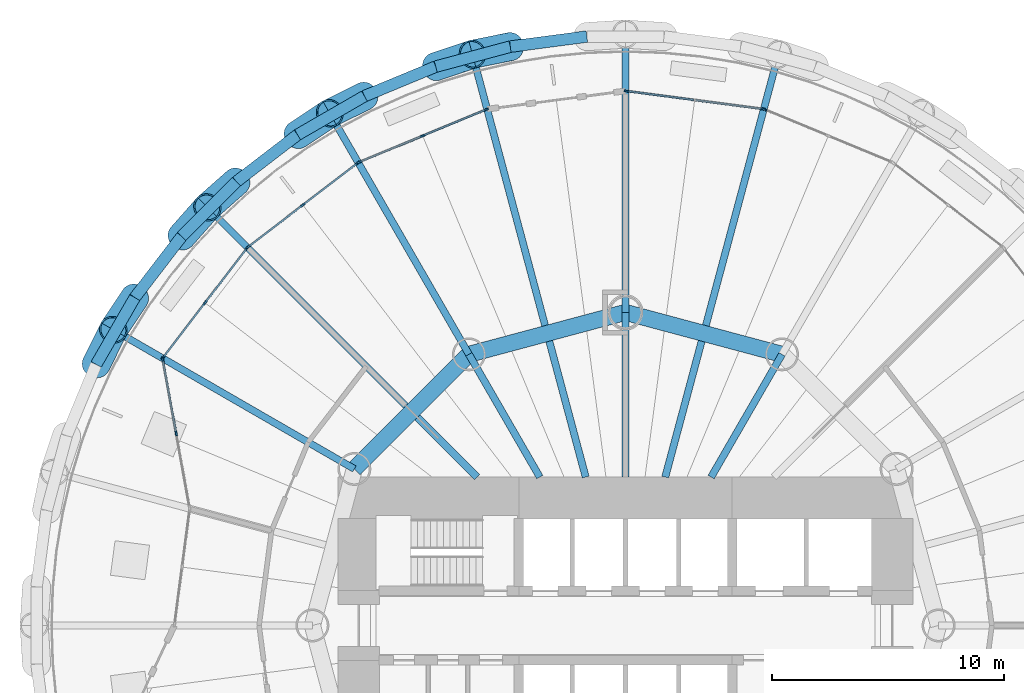
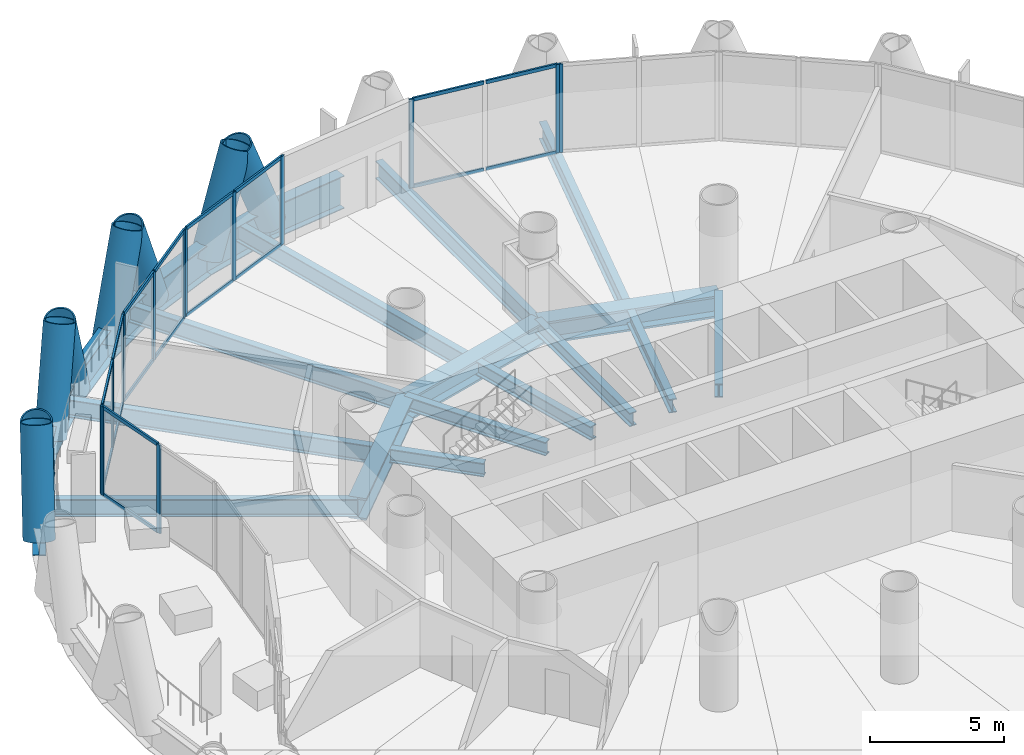
# One storey, part 6 of 15: 40 members, 23 beams, 6 elements without a shape of their own.
"""IFC4 building model written with IfcOpenShell, lengths in metres."""

from ifc_helpers import new_model, si_unit, direction, frame, origin, origin_2d, place, context, subcontext, project, spatial, rectangle, hollow_circle, i_section, extrude, material, material_profile, profile_set, type_object, element, aggregate, save


model = new_model("IFC4")

# Units and contexts
model_context = context("Model", 3, precision=1e-05, world=origin(), true_north=direction((0.0, 1.0)))
body_context = subcontext(model_context, "Body", "Model", "MODEL_VIEW")
ifc_project = project(units=[si_unit("LENGTHUNIT", "METRE"), si_unit("AREAUNIT", "SQUARE_METRE"), si_unit("VOLUMEUNIT", "CUBIC_METRE"), si_unit("PLANEANGLEUNIT", "RADIAN"), si_unit("MASSUNIT", "GRAM", prefix="KILO")], contexts=[model_context])

# Site, building, storey
site_placement = place(None, origin())
site = spatial("IfcSite", under=ifc_project, at=site_placement, CompositionType="ELEMENT")
building_placement = place(site_placement, origin())
building = spatial("IfcBuilding", under=site, at=building_placement, Name="Qaws Media Tower", CompositionType="ELEMENT")
storey_placement = place(building_placement, frame((0.0, 0.0, 72.199951171875)))
storey = spatial("IfcBuildingStorey", under=building, at=storey_placement, Name="L15", CompositionType="ELEMENT", Elevation=72.199951171875)

# Curtain wall, member
ifc_material_1 = material(Name="Aluminium and clear glass", Category="aluminium")
curtain_wall_type_1 = type_object("IfcCurtainWallType", Name="Unitised curtain wall CW-A", PredefinedType="NOTDEFINED", material=ifc_material_1)
curtain_wall_1_placement = place(storey_placement, origin())
curtain_wall_1 = element("IfcCurtainWall", 1, at=curtain_wall_1_placement, inside=storey, type_object=curtain_wall_type_1, Name="CWA curtain wall L15-05", PredefinedType="NOTDEFINED")
ifc_material_2 = material(Name="Aluminium mullion", Category="aluminium")
ifc_material_profile_1 = material_profile(ifc_material_2, rectangle(XDim=0.080078125, YDim=0.199951171875, at=origin_2d()), Name="80x200")
ifc_profile_set_1 = profile_set([ifc_material_profile_1], Name="Aluminium mullion")
member_type_1 = type_object("IfcMemberType", Name="Curtain wall mullion 80x200", PredefinedType="MULLION", material=ifc_profile_set_1)
member_1_placement = place(storey_placement, frame((66.002685546875, 72.249267578125, 0.0), z_axis=(0.0, 0.0, 1.0), x_axis=(-0.382683328183, -0.923879575665, 0.0)))
member_1 = element("IfcMember", 2, at=member_1_placement, type_object=member_type_1, Name="CWA mullion 3", PredefinedType="MULLION", context=body_context, shape_type="SweptSolid", body=[
    extrude(rectangle(XDim=0.080078125, YDim=0.199951171875, at=origin_2d()), origin(), (0.0, 0.0, 1.0), 4.0400390625),
])
aggregate(curtain_wall_1, [member_1])

# Curtain wall, members
curtain_wall_2_placement = place(storey_placement, origin())
curtain_wall_2 = element("IfcCurtainWall", 3, at=curtain_wall_2_placement, inside=storey, type_object=curtain_wall_type_1, Name="CWA curtain wall L15-06", PredefinedType="NOTDEFINED")
member_2_placement = place(storey_placement, frame((65.926025390625, 72.269775390625, 0.0), z_axis=(0.0, 0.0, 1.0), x_axis=(-0.130526240342, -0.991444855038, 0.0)))
member_2 = element("IfcMember", 4, at=member_2_placement, type_object=member_type_1, Name="CWA mullion 1", PredefinedType="MULLION", context=body_context, shape_type="SweptSolid", body=[
    extrude(rectangle(XDim=0.080078125, YDim=0.199951171875, at=origin_2d()), origin(), (0.0, 0.0, 1.0), 4.0400390625),
])
member_3_placement = place(storey_placement, frame((60.03955078125, 73.044677734375, 0.0), z_axis=(0.0, 0.0, 1.0), x_axis=(-0.130526240342, -0.991444855038, 0.0)))
member_3 = element("IfcMember", 5, at=member_3_placement, type_object=member_type_1, Name="CWA mullion 3", PredefinedType="MULLION", context=body_context, shape_type="SweptSolid", body=[
    extrude(rectangle(XDim=0.080078125, YDim=0.199951171875, at=origin_2d()), origin(), (0.0, 0.0, 1.0), 4.0400390625),
])

curtain_wall_3_placement = place(storey_placement, origin())
curtain_wall_3 = element("IfcCurtainWall", 6, at=curtain_wall_3_placement, inside=storey, type_object=curtain_wall_type_1, Name="CWA curtain wall L15-08", PredefinedType="NOTDEFINED")
member_4_placement = place(storey_placement, frame((53.997314453125, 72.249267578125, 0.0), z_axis=(0.0, 0.0, 1.0), x_axis=(0.382683328183, -0.923879575665, 0.0)))
member_4 = element("IfcMember", 7, at=member_4_placement, type_object=member_type_1, Name="CWA mullion 1", PredefinedType="MULLION", context=body_context, shape_type="SweptSolid", body=[
    extrude(rectangle(XDim=0.080078125, YDim=0.199951171875, at=origin_2d()), origin(), (0.0, 0.0, 1.0), 4.0400390625),
])
member_5_placement = place(storey_placement, frame((51.254638671875, 71.11328125, 0.0), z_axis=(0.0, 0.0, 1.0), x_axis=(0.382683328183, -0.923879575665, 0.0)))
member_5 = element("IfcMember", 8, at=member_5_placement, type_object=member_type_1, Name="CWA mullion 2", PredefinedType="MULLION", context=body_context, shape_type="SweptSolid", body=[
    extrude(rectangle(XDim=0.080078125, YDim=0.199951171875, at=origin_2d()), origin(), (0.0, 0.0, 1.0), 4.0400390625),
])
member_6_placement = place(storey_placement, frame((48.511962890625, 69.977294921875, 0.0), z_axis=(0.0, 0.0, 1.0), x_axis=(0.382683328183, -0.923879575665, 0.0)))
member_6 = element("IfcMember", 9, at=member_6_placement, type_object=member_type_1, Name="CWA mullion 3", PredefinedType="MULLION", context=body_context, shape_type="SweptSolid", body=[
    extrude(rectangle(XDim=0.080078125, YDim=0.199951171875, at=origin_2d()), origin(), (0.0, 0.0, 1.0), 4.0400390625),
])

curtain_wall_4_placement = place(storey_placement, origin())
curtain_wall_4 = element("IfcCurtainWall", 10, at=curtain_wall_4_placement, inside=storey, type_object=curtain_wall_type_1, Name="CWA curtain wall L15-09", PredefinedType="NOTDEFINED")
member_7_placement = place(storey_placement, frame((48.443359375, 69.9375, 0.0), z_axis=(0.0, 0.0, 1.0), x_axis=(0.608761531958, -0.793353261295, 0.0)))
member_7 = element("IfcMember", 11, at=member_7_placement, type_object=member_type_1, Name="CWA mullion 1", PredefinedType="MULLION", context=body_context, shape_type="SweptSolid", body=[
    extrude(rectangle(XDim=0.080078125, YDim=0.199951171875, at=origin_2d()), origin(), (0.0, 0.0, 1.0), 4.0400390625),
])
member_8_placement = place(storey_placement, frame((46.088134765625, 68.13037109375, 0.0), z_axis=(0.0, 0.0, 1.0), x_axis=(0.608761531958, -0.793353261295, 0.0)))
member_8 = element("IfcMember", 12, at=member_8_placement, type_object=member_type_1, Name="CWA mullion 2", PredefinedType="MULLION", context=body_context, shape_type="SweptSolid", body=[
    extrude(rectangle(XDim=0.080078125, YDim=0.199951171875, at=origin_2d()), origin(), (0.0, 0.0, 1.0), 4.0400390625),
])
member_9_placement = place(storey_placement, frame((43.73291015625, 66.3232421875, 0.0), z_axis=(0.0, 0.0, 1.0), x_axis=(0.608761531958, -0.793353261295, 0.0)))
member_9 = element("IfcMember", 13, at=member_9_placement, type_object=member_type_1, Name="CWA mullion 3", PredefinedType="MULLION", context=body_context, shape_type="SweptSolid", body=[
    extrude(rectangle(XDim=0.080078125, YDim=0.199951171875, at=origin_2d()), origin(), (0.0, 0.0, 1.0), 4.0400390625),
])

curtain_wall_5_placement = place(storey_placement, origin())
curtain_wall_5 = element("IfcCurtainWall", 14, at=curtain_wall_5_placement, inside=storey, type_object=curtain_wall_type_1, Name="CWA curtain wall L15-10", PredefinedType="NOTDEFINED")
member_10_placement = place(storey_placement, frame((43.6767578125, 66.26708984375, 0.0), z_axis=(0.0, 0.0, 1.0), x_axis=(0.793353261295, -0.608761531958, 0.0)))
member_10 = element("IfcMember", 15, at=member_10_placement, type_object=member_type_1, Name="CWA mullion 1", PredefinedType="MULLION", context=body_context, shape_type="SweptSolid", body=[
    extrude(rectangle(XDim=0.080078125, YDim=0.199951171875, at=origin_2d()), origin(), (0.0, 0.0, 1.0), 4.0400390625),
])
member_11_placement = place(storey_placement, frame((41.86962890625, 63.911865234375, 0.0), z_axis=(0.0, 0.0, 1.0), x_axis=(0.793353261295, -0.608761531958, 0.0)))
member_11 = element("IfcMember", 16, at=member_11_placement, type_object=member_type_1, Name="CWA mullion 2", PredefinedType="MULLION", context=body_context, shape_type="SweptSolid", body=[
    extrude(rectangle(XDim=0.080078125, YDim=0.199951171875, at=origin_2d()), origin(), (0.0, 0.0, 1.0), 4.0400390625),
])
member_12_placement = place(storey_placement, frame((40.0625, 61.556640625, 0.0), z_axis=(0.0, 0.0, 1.0), x_axis=(0.793353261295, -0.608761531958, 0.0)))
member_12 = element("IfcMember", 17, at=member_12_placement, type_object=member_type_1, Name="CWA mullion 3", PredefinedType="MULLION", context=body_context, shape_type="SweptSolid", body=[
    extrude(rectangle(XDim=0.080078125, YDim=0.199951171875, at=origin_2d()), origin(), (0.0, 0.0, 1.0), 4.0400390625),
])

ifc_material_3 = material(Name="Aluminium and clear glass", Category="aluminium")
curtain_wall_type_2 = type_object("IfcCurtainWallType", Name="Loggia curtain wall CW-G", PredefinedType="NOTDEFINED", material=ifc_material_3)
curtain_wall_6_placement = place(storey_placement, origin())
curtain_wall_6 = element("IfcCurtainWall", 18, at=curtain_wall_6_placement, inside=storey, type_object=curtain_wall_type_2, Name="CWG curtain wall L15-11", PredefinedType="NOTDEFINED")
member_13_placement = place(storey_placement, frame((40.045166015625, 61.485595703125, 0.0), z_axis=(0.0, 0.0, 1.0), x_axis=(0.984017583835, 0.178071319151, 0.0)))
member_13 = element("IfcMember", 19, at=member_13_placement, type_object=member_type_1, Name="CWG mullion 1", PredefinedType="MULLION", context=body_context, shape_type="SweptSolid", body=[
    extrude(rectangle(XDim=0.080078125, YDim=0.199951171875, at=origin_2d()), origin(), (0.0, 0.0, 1.0), 4.0400390625),
])
member_14_placement = place(storey_placement, frame((40.62548828125, 58.279541015625, 0.0), z_axis=(0.0, 0.0, 1.0), x_axis=(0.984017583835, 0.178071319151, 0.0)))
member_14 = element("IfcMember", 20, at=member_14_placement, type_object=member_type_1, Name="CWG mullion 2", PredefinedType="MULLION", context=body_context, shape_type="SweptSolid", body=[
    extrude(rectangle(XDim=0.080078125, YDim=0.199951171875, at=origin_2d()), origin(), (0.0, 0.0, 1.0), 4.0400390625),
])

# Member
ifc_material_4 = material(Name="Aluminium transom", Category="aluminium")
ifc_material_profile_2 = material_profile(ifc_material_4, rectangle(XDim=0.080078125, YDim=0.159912109375, at=origin_2d()), Name="80x160")
ifc_profile_set_2 = profile_set([ifc_material_profile_2], Name="Aluminium transom")
member_type_2 = type_object("IfcMemberType", Name="Curtain wall transom 80x160", PredefinedType="USERDEFINED", material=ifc_profile_set_2)
member_15_placement = place(storey_placement, frame((65.886474609375, 72.275146484375, 0.0400390625), z_axis=(-0.991449404578, 0.130491678516, 0.0), x_axis=(-0.130491678516, -0.991449404578, 0.0)))
member_15 = element("IfcMember", 21, at=member_15_placement, type_object=member_type_2, Name="CWA transom 1.1", ObjectType="TRANSOM", PredefinedType="USERDEFINED", context=body_context, shape_type="SweptSolid", body=[
    extrude(rectangle(XDim=0.080078125, YDim=0.159912109375, at=origin_2d()), origin(), (0.0, 0.0, 1.0), 2.888671875),
])

member_16_placement = place(storey_placement, frame((65.886474609375, 72.275146484375, 4.0), z_axis=(-0.991449404578, 0.130491678516, 0.0), x_axis=(-0.130491678516, -0.991449404578, 0.0)))
member_16 = element("IfcMember", 22, at=member_16_placement, type_object=member_type_2, Name="CWA transom 1.2", ObjectType="TRANSOM", PredefinedType="USERDEFINED", context=body_context, shape_type="SweptSolid", body=[
    extrude(rectangle(XDim=0.080078125, YDim=0.159912109375, at=origin_2d()), origin(), (0.0, 0.0, 1.0), 2.888671875),
])

member_17_placement = place(storey_placement, frame((62.943115234375, 72.66259765625, 0.0400390625), z_axis=(-0.991447965263, 0.130502613671, 0.0), x_axis=(-0.130502613671, -0.991447965263, 0.0)))
member_17 = element("IfcMember", 23, at=member_17_placement, type_object=member_type_2, Name="CWA transom 2.1", ObjectType="TRANSOM", PredefinedType="USERDEFINED", context=body_context, shape_type="SweptSolid", body=[
    extrude(rectangle(XDim=0.080078125, YDim=0.159912109375, at=origin_2d()), origin(), (0.0, 0.0, 1.0), 2.888427734375),
])

member_18_placement = place(storey_placement, frame((62.943115234375, 72.66259765625, 4.0), z_axis=(-0.991447965263, 0.130502613671, 0.0), x_axis=(-0.130502613671, -0.991447965263, 0.0)))
member_18 = element("IfcMember", 24, at=member_18_placement, type_object=member_type_2, Name="CWA transom 2.2", ObjectType="TRANSOM", PredefinedType="USERDEFINED", context=body_context, shape_type="SweptSolid", body=[
    extrude(rectangle(XDim=0.080078125, YDim=0.159912109375, at=origin_2d()), origin(), (0.0, 0.0, 1.0), 2.888427734375),
])

aggregate(curtain_wall_2, [member_2, member_3, member_15, member_16, member_17, member_18])

member_19_placement = place(storey_placement, frame((53.960205078125, 72.23388671875, 0.0400390625), z_axis=(-0.923902494293, -0.382627993016, 0.0), x_axis=(0.382627993016, -0.923902494293, 0.0)))
member_19 = element("IfcMember", 25, at=member_19_placement, type_object=member_type_2, Name="CWA transom 1.1", ObjectType="TRANSOM", PredefinedType="USERDEFINED", context=body_context, shape_type="SweptSolid", body=[
    extrude(rectangle(XDim=0.080078125, YDim=0.159912109375, at=origin_2d()), origin(), (0.0, 0.0, 1.0), 2.888427734375),
])

member_20_placement = place(storey_placement, frame((53.960205078125, 72.23388671875, 4.0), z_axis=(-0.923902494293, -0.382627993016, 0.0), x_axis=(0.382627993016, -0.923902494293, 0.0)))
member_20 = element("IfcMember", 26, at=member_20_placement, type_object=member_type_2, Name="CWA transom 1.2", ObjectType="TRANSOM", PredefinedType="USERDEFINED", context=body_context, shape_type="SweptSolid", body=[
    extrude(rectangle(XDim=0.080078125, YDim=0.159912109375, at=origin_2d()), origin(), (0.0, 0.0, 1.0), 2.888427734375),
])

member_21_placement = place(storey_placement, frame((51.2177734375, 71.097900390625, 0.0400390625), z_axis=(-0.923884990322, -0.382670255779, 0.0), x_axis=(0.382670255779, -0.923884990322, 0.0)))
member_21 = element("IfcMember", 27, at=member_21_placement, type_object=member_type_2, Name="CWA transom 2.1", ObjectType="TRANSOM", PredefinedType="USERDEFINED", context=body_context, shape_type="SweptSolid", body=[
    extrude(rectangle(XDim=0.080078125, YDim=0.159912109375, at=origin_2d()), origin(), (0.0, 0.0, 1.0), 2.888916015625),
])

member_22_placement = place(storey_placement, frame((51.2177734375, 71.097900390625, 4.0), z_axis=(-0.923884990322, -0.382670255779, 0.0), x_axis=(0.382670255779, -0.923884990322, 0.0)))
member_22 = element("IfcMember", 28, at=member_22_placement, type_object=member_type_2, Name="CWA transom 2.2", ObjectType="TRANSOM", PredefinedType="USERDEFINED", context=body_context, shape_type="SweptSolid", body=[
    extrude(rectangle(XDim=0.080078125, YDim=0.159912109375, at=origin_2d()), origin(), (0.0, 0.0, 1.0), 2.888916015625),
])

aggregate(curtain_wall_3, [member_4, member_5, member_6, member_19, member_20, member_21, member_22])

member_23_placement = place(storey_placement, frame((48.41162109375, 69.9130859375, 0.0400390625), z_axis=(-0.793390013074, -0.608713633127, 0.0), x_axis=(0.608713633127, -0.793390013074, 0.0)))
member_23 = element("IfcMember", 29, at=member_23_placement, type_object=member_type_2, Name="CWA transom 1.1", ObjectType="TRANSOM", PredefinedType="USERDEFINED", context=body_context, shape_type="SweptSolid", body=[
    extrude(rectangle(XDim=0.080078125, YDim=0.159912109375, at=origin_2d()), origin(), (0.0, 0.0, 1.0), 2.888671875),
])

member_24_placement = place(storey_placement, frame((48.41162109375, 69.9130859375, 4.0), z_axis=(-0.793390013074, -0.608713633127, 0.0), x_axis=(0.608713633127, -0.793390013074, 0.0)))
member_24 = element("IfcMember", 30, at=member_24_placement, type_object=member_type_2, Name="CWA transom 1.2", ObjectType="TRANSOM", PredefinedType="USERDEFINED", context=body_context, shape_type="SweptSolid", body=[
    extrude(rectangle(XDim=0.080078125, YDim=0.159912109375, at=origin_2d()), origin(), (0.0, 0.0, 1.0), 2.888671875),
])

member_25_placement = place(storey_placement, frame((46.056396484375, 68.10595703125, 0.0400390625), z_axis=(-0.793349194644, -0.608766831684, 0.0), x_axis=(0.608766831684, -0.793349194644, 0.0)))
member_25 = element("IfcMember", 31, at=member_25_placement, type_object=member_type_2, Name="CWA transom 2.1", ObjectType="TRANSOM", PredefinedType="USERDEFINED", context=body_context, shape_type="SweptSolid", body=[
    extrude(rectangle(XDim=0.080078125, YDim=0.159912109375, at=origin_2d()), origin(), (0.0, 0.0, 1.0), 2.888671875),
])

member_26_placement = place(storey_placement, frame((46.056396484375, 68.10595703125, 4.0), z_axis=(-0.793349194644, -0.608766831684, 0.0), x_axis=(0.608766831684, -0.793349194644, 0.0)))
member_26 = element("IfcMember", 32, at=member_26_placement, type_object=member_type_2, Name="CWA transom 2.2", ObjectType="TRANSOM", PredefinedType="USERDEFINED", context=body_context, shape_type="SweptSolid", body=[
    extrude(rectangle(XDim=0.080078125, YDim=0.159912109375, at=origin_2d()), origin(), (0.0, 0.0, 1.0), 2.888671875),
])

aggregate(curtain_wall_4, [member_7, member_8, member_9, member_23, member_24, member_25, member_26])

member_27_placement = place(storey_placement, frame((43.652587890625, 66.2353515625, 0.0400390625), z_axis=(-0.608766831684, -0.793349194644, 0.0), x_axis=(0.793349194644, -0.608766831684, 0.0)))
member_27 = element("IfcMember", 33, at=member_27_placement, type_object=member_type_2, Name="CWA transom 1.1", ObjectType="TRANSOM", PredefinedType="USERDEFINED", context=body_context, shape_type="SweptSolid", body=[
    extrude(rectangle(XDim=0.080078125, YDim=0.159912109375, at=origin_2d()), origin(), (0.0, 0.0, 1.0), 2.888671875),
])

member_28_placement = place(storey_placement, frame((43.652587890625, 66.2353515625, 4.0), z_axis=(-0.608766831684, -0.793349194644, 0.0), x_axis=(0.793349194644, -0.608766831684, 0.0)))
member_28 = element("IfcMember", 34, at=member_28_placement, type_object=member_type_2, Name="CWA transom 1.2", ObjectType="TRANSOM", PredefinedType="USERDEFINED", context=body_context, shape_type="SweptSolid", body=[
    extrude(rectangle(XDim=0.080078125, YDim=0.159912109375, at=origin_2d()), origin(), (0.0, 0.0, 1.0), 2.888671875),
])

member_29_placement = place(storey_placement, frame((41.84521484375, 63.880126953125, 0.0400390625), z_axis=(-0.608713633127, -0.793390013074, 0.0), x_axis=(0.793390013074, -0.608713633127, 0.0)))
member_29 = element("IfcMember", 35, at=member_29_placement, type_object=member_type_2, Name="CWA transom 2.1", ObjectType="TRANSOM", PredefinedType="USERDEFINED", context=body_context, shape_type="SweptSolid", body=[
    extrude(rectangle(XDim=0.080078125, YDim=0.159912109375, at=origin_2d()), origin(), (0.0, 0.0, 1.0), 2.888671875),
])

member_30_placement = place(storey_placement, frame((41.84521484375, 63.880126953125, 4.0), z_axis=(-0.608713633127, -0.793390013074, 0.0), x_axis=(0.793390013074, -0.608713633127, 0.0)))
member_30 = element("IfcMember", 36, at=member_30_placement, type_object=member_type_2, Name="CWA transom 2.2", ObjectType="TRANSOM", PredefinedType="USERDEFINED", context=body_context, shape_type="SweptSolid", body=[
    extrude(rectangle(XDim=0.080078125, YDim=0.159912109375, at=origin_2d()), origin(), (0.0, 0.0, 1.0), 2.888671875),
])

aggregate(curtain_wall_5, [member_10, member_11, member_12, member_27, member_28, member_29, member_30])

member_31_placement = place(storey_placement, frame((40.05224609375, 61.4462890625, 0.0400390625), z_axis=(0.178135052761, -0.984006048242, 0.0), x_axis=(0.984006048242, 0.178135052761, 0.0)))
member_31 = element("IfcMember", 37, at=member_31_placement, type_object=member_type_2, Name="CWG transom 1.1", ObjectType="TRANSOM", PredefinedType="USERDEFINED", context=body_context, shape_type="SweptSolid", body=[
    extrude(rectangle(XDim=0.080078125, YDim=0.159912109375, at=origin_2d()), origin(), (0.0, 0.0, 1.0), 3.17822265625),
])

member_32_placement = place(storey_placement, frame((40.05224609375, 61.4462890625, 4.0), z_axis=(0.178135052761, -0.984006048242, 0.0), x_axis=(0.984006048242, 0.178135052761, 0.0)))
member_32 = element("IfcMember", 38, at=member_32_placement, type_object=member_type_2, Name="CWG transom 1.2", ObjectType="TRANSOM", PredefinedType="USERDEFINED", context=body_context, shape_type="SweptSolid", body=[
    extrude(rectangle(XDim=0.080078125, YDim=0.159912109375, at=origin_2d()), origin(), (0.0, 0.0, 1.0), 3.17822265625),
])

aggregate(curtain_wall_6, [member_13, member_14, member_31, member_32])

# Members
ifc_material_5 = material(Name="Steel S460", Category="steel")
ifc_material_profile_3 = material_profile(ifc_material_5, hollow_circle(Radius=0.609619140625, WallThickness=0.06005859375, at=origin_2d()), Name="CHS 1219x60")
ifc_profile_set_3 = profile_set([ifc_material_profile_3], Name="Steel S460")
member_type_3 = type_object("IfcMemberType", Name="Diagrid member CHS 1219x60", PredefinedType="USERDEFINED", material=ifc_profile_set_3)
for number, where, z_axis, x_axis, name in (
    (39, (55.034912109375, 74.9609375, -0.909912109375), (-0.36175846887, -0.072989201231, 0.929410235958), (0.197776850506, -0.980247069572, 0.0), "DG1 diagrid L15 A07"),
    (40, (48.74365234375, 72.825439453125, -0.909912109375), (-0.330532493562, -0.164131695888, 0.92941328649), (0.444752444244, -0.89565353979, 0.0), "DG1 diagrid L15 A08"),
    (41, (51.8193359375, 74.099365234375, -0.909912109375), (0.349814783649, 0.117667428384, 0.929399802797), (-0.318817528008, 0.94781611288, 0.0), "DG1 diagrid L15 B08"),
    (42, (43.2197265625, 69.13427734375, -0.909912109375), (-0.276827051791, -0.244087552691, 0.929401985159), (0.661360157276, -0.750068491784, 0.0), "DG1 diagrid L15 A09"),
    (43, (45.86083984375, 71.160888671875, -0.909912109375), (0.307406963447, 0.204217631253, 0.929406325516), (-0.553348187094, 0.832950048826, 0.0), "DG1 diagrid L15 B09"),
    (44, (38.839111328125, 64.13916015625, -0.909912109375), (-0.204217631253, -0.307406963447, 0.929406325516), (0.832950048826, -0.553348187094, 0.0), "DG1 diagrid L15 A10"),
    (45, (40.86572265625, 66.7802734375, -0.909912109375), (0.244087552691, 0.276827051791, 0.929401985159), (-0.750068491784, 0.661360157276, 0.0), "DG1 diagrid L15 B10"),
    (46, (37.174560546875, 61.25634765625, -0.909912109375), (0.164131695888, 0.330532493562, 0.92941328649), (-0.89565353979, 0.444752444244, 0.0), "DG1 diagrid L15 B11"),
):
    element("IfcMember", number, at=place(storey_placement, frame(where, z_axis=z_axis, x_axis=x_axis)), inside=storey, type_object=member_type_3, Name=name, ObjectType="DIAGRID", PredefinedType="USERDEFINED", context=body_context, shape_type="SweptSolid", body=[
        extrude(hollow_circle(Radius=0.609619140625, WallThickness=0.06005859375, at=origin_2d()), origin(), (0.0, 0.0, 1.0), 4.51904296875),
    ])

# Beams
ifc_material_6 = material(Name="Steel S460", Category="steel")
ifc_material_profile_4 = material_profile(ifc_material_6, i_section(OverallWidth=0.5, OverallDepth=1.5, WebThickness=0.02001953125, FlangeThickness=0.0400390625, at=origin_2d()), Name="PG 1500x500")
ifc_profile_set_4 = profile_set([ifc_material_profile_4], Name="Steel S460")
beam_type_1 = type_object("IfcBeamType", Name="Edge ring beam PG 1500x500", PredefinedType="BEAM", material=ifc_profile_set_4)
for number, where, z_axis, x_axis, name in (
    (47, (58.33544921875, 75.3955078125, -0.909912109375), (-0.991443059173, -0.130539880563, 0.0), (0.130539880563, -0.991443059173, 0.0), "RB4 edge ring beam L15-13"),
    (48, (55.034912109375, 74.9609375, -0.909912109375), (-0.965928737976, -0.258808178295, 0.0), (0.258808178295, -0.965928737976, 0.0), "RB4 edge ring beam L15-14"),
    (49, (51.8193359375, 74.099365234375, -0.909912109375), (-0.923886337442, -0.382667003395, 0.0), (0.382667003395, -0.923886337442, 0.0), "RB4 edge ring beam L15-15"),
):
    element("IfcBeam", number, at=place(storey_placement, frame(where, z_axis=z_axis, x_axis=x_axis)), inside=storey, type_object=beam_type_1, Name=name, PredefinedType="BEAM", context=body_context, shape_type="SweptSolid", body=[
        extrude(i_section(OverallWidth=0.5, OverallDepth=1.5, WebThickness=0.02001953125, FlangeThickness=0.0400390625, at=origin_2d()), origin(), (0.0, 0.0, 1.0), 3.3291015625),
    ])
beam_1_placement = place(storey_placement, frame((48.74365234375, 72.825439453125, -0.909912109375), z_axis=(-0.866004823592, -0.500035644245, 0.0), x_axis=(0.500035644245, -0.866004823592, 0.0)))
element("IfcBeam", 50, at=beam_1_placement, inside=storey, type_object=beam_type_1, Name="RB4 edge ring beam L15-16", PredefinedType="BEAM", context=body_context, shape_type="SweptSolid", body=[
    extrude(i_section(OverallWidth=0.5, OverallDepth=1.5, WebThickness=0.02001953125, FlangeThickness=0.0400390625, at=origin_2d()), origin(), (0.0, 0.0, 1.0), 3.328857421875),
])
for number, where, z_axis, x_axis, name in (
    (51, (45.86083984375, 71.160888671875, -0.909912109375), (-0.79335133403, -0.608764043611, 0.0), (0.608764043611, -0.79335133403, 0.0), "RB4 edge ring beam L15-17"),
    (52, (43.2197265625, 69.13427734375, -0.909912109375), (-0.707106781187, -0.707106781187, 0.0), (0.707106781187, -0.707106781187, 0.0), "RB4 edge ring beam L15-18"),
    (53, (40.86572265625, 66.7802734375, -0.909912109375), (-0.608764043611, -0.79335133403, 0.0), (0.79335133403, -0.608764043611, 0.0), "RB4 edge ring beam L15-19"),
):
    element("IfcBeam", number, at=place(storey_placement, frame(where, z_axis=z_axis, x_axis=x_axis)), inside=storey, type_object=beam_type_1, Name=name, PredefinedType="BEAM", context=body_context, shape_type="SweptSolid", body=[
        extrude(i_section(OverallWidth=0.5, OverallDepth=1.5, WebThickness=0.02001953125, FlangeThickness=0.0400390625, at=origin_2d()), origin(), (0.0, 0.0, 1.0), 3.3291015625),
    ])
beam_2_placement = place(storey_placement, frame((38.839111328125, 64.13916015625, -0.909912109375), z_axis=(-0.500035644245, -0.866004823592, 0.0), x_axis=(0.866004823592, -0.500035644245, 0.0)))
element("IfcBeam", 54, at=beam_2_placement, inside=storey, type_object=beam_type_1, Name="RB4 edge ring beam L15-20", PredefinedType="BEAM", context=body_context, shape_type="SweptSolid", body=[
    extrude(i_section(OverallWidth=0.5, OverallDepth=1.5, WebThickness=0.02001953125, FlangeThickness=0.0400390625, at=origin_2d()), origin(), (0.0, 0.0, 1.0), 3.328857421875),
])
ifc_material_7 = material(Name="Steel S460", Category="steel")
ifc_material_profile_5 = material_profile(ifc_material_7, i_section(OverallWidth=0.699951171875, OverallDepth=1.0, WebThickness=0.034912109375, FlangeThickness=0.090087890625, at=origin_2d()), Name="PG 1000x700")
ifc_profile_set_5 = profile_set([ifc_material_profile_5], Name="Steel S460")
beam_type_2 = type_object("IfcBeamType", Name="Inner ring girder PG 1000x700", PredefinedType="BEAM", material=ifc_profile_set_5)
for number, where, z_axis, x_axis, name in (
    (55, (66.75, 61.69140625, -0.659912109375), (-0.965928090778, 0.258810593767, 0.0), (-0.258810593767, -0.965928090778, 0.0), "B3 inner ring beam L15 I03-I04"),
    (56, (60.0, 63.5, -0.659912109375), (-0.965928090778, -0.258810593767, 0.0), (0.258810593767, -0.965928090778, 0.0), "B3 inner ring beam L15 I04-I05"),
):
    element("IfcBeam", number, at=place(storey_placement, frame(where, z_axis=z_axis, x_axis=x_axis)), inside=storey, type_object=beam_type_2, Name=name, PredefinedType="BEAM", context=body_context, shape_type="SweptSolid", body=[
        extrude(i_section(OverallWidth=0.699951171875, OverallDepth=1.0, WebThickness=0.034912109375, FlangeThickness=0.090087890625, at=origin_2d()), origin(), (0.0, 0.0, 1.0), 6.988037109375),
    ])
beam_3_placement = place(storey_placement, frame((53.25, 61.69140625, -0.659912109375), z_axis=(-0.707106781187, -0.707106781187, 0.0), x_axis=(0.707106781187, -0.707106781187, 0.0)))
element("IfcBeam", 57, at=beam_3_placement, inside=storey, type_object=beam_type_2, Name="B3 inner ring beam L15 I05-I06", PredefinedType="BEAM", context=body_context, shape_type="SweptSolid", body=[
    extrude(i_section(OverallWidth=0.699951171875, OverallDepth=1.0, WebThickness=0.034912109375, FlangeThickness=0.090087890625, at=origin_2d()), origin(), (0.0, 0.0, 1.0), 6.98828125),
])
ifc_material_8 = material(Name="Steel S355", Category="steel")
ifc_material_profile_6 = material_profile(ifc_material_8, i_section(OverallWidth=0.304931640625, OverallDepth=0.6201171875, WebThickness=0.02099609375, FlangeThickness=0.0400390625, FilletRadius=0.027099609375, at=origin_2d()), Name="HE 600 M")
ifc_profile_set_6 = profile_set([ifc_material_profile_6], Name="Steel S355")
beam_type_3 = type_object("IfcBeamType", Name="Radial beam HE 600 M, core side", PredefinedType="BEAM", material=ifc_profile_set_6)
beam_4_placement = place(storey_placement, frame((63.695068359375, 56.39990234375, -0.469970703125), z_axis=(0.49998532359, 0.866033877048, 0.0), x_axis=(-0.866033877048, 0.49998532359, 0.0)))
element("IfcBeam", 58, at=beam_4_placement, inside=storey, type_object=beam_type_3, Name="B2 radial beam L15 05", PredefinedType="BEAM", context=body_context, shape_type="SweptSolid", body=[
    extrude(i_section(OverallWidth=0.304931640625, OverallDepth=0.6201171875, WebThickness=0.02099609375, FlangeThickness=0.0400390625, FilletRadius=0.027099609375, at=origin_2d()), origin(), (0.0, 0.0, 1.0), 6.110107421875),
])
beam_5_placement = place(storey_placement, frame((61.71484375, 56.39990234375, -0.469970703125), z_axis=(0.258822614448, 0.965924869879, 0.0), x_axis=(-0.965924869879, 0.258822614448, 0.0)))
element("IfcBeam", 59, at=beam_5_placement, inside=storey, type_object=beam_type_3, Name="B2 radial beam L15 06", PredefinedType="BEAM", context=body_context, shape_type="SweptSolid", body=[
    extrude(i_section(OverallWidth=0.304931640625, OverallDepth=0.6201171875, WebThickness=0.02099609375, FlangeThickness=0.0400390625, FilletRadius=0.027099609375, at=origin_2d()), origin(), (0.0, 0.0, 1.0), 6.064208984375),
])
beam_6_placement = place(storey_placement, frame((60.0, 56.39990234375, -0.469970703125), z_axis=(0.0, 1.0, 0.0), x_axis=(-1.0, 0.0, 0.0)))
element("IfcBeam", 60, at=beam_6_placement, inside=storey, type_object=beam_type_3, Name="B2 radial beam L15 07", PredefinedType="BEAM", context=body_context, shape_type="SweptSolid", body=[
    extrude(i_section(OverallWidth=0.304931640625, OverallDepth=0.6201171875, WebThickness=0.02099609375, FlangeThickness=0.0400390625, FilletRadius=0.027099609375, at=origin_2d()), origin(), (0.0, 0.0, 1.0), 7.10009765625),
])
beam_7_placement = place(storey_placement, frame((58.28515625, 56.39990234375, -0.469970703125), z_axis=(-0.258822614448, 0.965924869879, 0.0), x_axis=(-0.965924869879, -0.258822614448, 0.0)))
element("IfcBeam", 61, at=beam_7_placement, inside=storey, type_object=beam_type_3, Name="B2 radial beam L15 08", PredefinedType="BEAM", context=body_context, shape_type="SweptSolid", body=[
    extrude(i_section(OverallWidth=0.304931640625, OverallDepth=0.6201171875, WebThickness=0.02099609375, FlangeThickness=0.0400390625, FilletRadius=0.027099609375, at=origin_2d()), origin(), (0.0, 0.0, 1.0), 6.064208984375),
])
beam_8_placement = place(storey_placement, frame((56.304931640625, 56.39990234375, -0.469970703125), z_axis=(-0.49998532359, 0.866033877048, 0.0), x_axis=(-0.866033877048, -0.49998532359, 0.0)))
element("IfcBeam", 62, at=beam_8_placement, inside=storey, type_object=beam_type_3, Name="B2 radial beam L15 09", PredefinedType="BEAM", context=body_context, shape_type="SweptSolid", body=[
    extrude(i_section(OverallWidth=0.304931640625, OverallDepth=0.6201171875, WebThickness=0.02099609375, FlangeThickness=0.0400390625, FilletRadius=0.027099609375, at=origin_2d()), origin(), (0.0, 0.0, 1.0), 6.110107421875),
])
beam_9_placement = place(storey_placement, frame((53.60009765625, 56.39990234375, -0.469970703125), z_axis=(-0.707106781187, 0.707106781187, 0.0), x_axis=(-0.707106781187, -0.707106781187, 0.0)))
element("IfcBeam", 63, at=beam_9_placement, inside=storey, type_object=beam_type_3, Name="B2 radial beam L15 10", PredefinedType="BEAM", context=body_context, shape_type="SweptSolid", body=[
    extrude(i_section(OverallWidth=0.304931640625, OverallDepth=0.6201171875, WebThickness=0.02099609375, FlangeThickness=0.0400390625, FilletRadius=0.027099609375, at=origin_2d()), origin(), (0.0, 0.0, 1.0), 3.63916015625),
])
ifc_material_9 = material(Name="Steel S355", Category="steel")
ifc_material_profile_7 = material_profile(ifc_material_9, i_section(OverallWidth=0.300048828125, OverallDepth=0.800048828125, WebThickness=0.017578125, FlangeThickness=0.032958984375, FilletRadius=0.030029296875, at=origin_2d()), Name="HE 800 B")
ifc_profile_set_7 = profile_set([ifc_material_profile_7], Name="Steel S355")
beam_type_4 = type_object("IfcBeamType", Name="Radial beam HE 800 B", PredefinedType="BEAM", material=ifc_profile_set_7)
beam_10_placement = place(storey_placement, frame((63.465576171875, 62.933837890625, -0.56005859375), z_axis=(0.258812998406, 0.965927446476, 0.0), x_axis=(-0.965927446476, 0.258812998406, 0.0)))
element("IfcBeam", 64, at=beam_10_placement, inside=storey, type_object=beam_type_4, Name="B1 radial beam L15 06", PredefinedType="BEAM", context=body_context, shape_type="SweptSolid", body=[
    extrude(i_section(OverallWidth=0.300048828125, OverallDepth=0.800048828125, WebThickness=0.017578125, FlangeThickness=0.032958984375, FilletRadius=0.030029296875, at=origin_2d()), origin(), (0.0, 0.0, 1.0), 12.005615234375),
])
beam_11_placement = place(storey_placement, frame((60.0, 63.5, -0.56005859375), z_axis=(0.0, 1.0, 0.0), x_axis=(-1.0, 0.0, 0.0)))
element("IfcBeam", 65, at=beam_11_placement, inside=storey, type_object=beam_type_4, Name="B1 radial beam L15 07", PredefinedType="BEAM", context=body_context, shape_type="SweptSolid", body=[
    extrude(i_section(OverallWidth=0.300048828125, OverallDepth=0.800048828125, WebThickness=0.017578125, FlangeThickness=0.032958984375, FilletRadius=0.030029296875, at=origin_2d()), origin(), (0.0, 0.0, 1.0), 11.8955078125),
])
beam_12_placement = place(storey_placement, frame((56.534423828125, 62.933837890625, -0.56005859375), z_axis=(-0.258812998406, 0.965927446476, 0.0), x_axis=(-0.965927446476, -0.258812998406, 0.0)))
element("IfcBeam", 66, at=beam_12_placement, inside=storey, type_object=beam_type_4, Name="B1 radial beam L15 08", PredefinedType="BEAM", context=body_context, shape_type="SweptSolid", body=[
    extrude(i_section(OverallWidth=0.300048828125, OverallDepth=0.800048828125, WebThickness=0.017578125, FlangeThickness=0.032958984375, FilletRadius=0.030029296875, at=origin_2d()), origin(), (0.0, 0.0, 1.0), 12.005615234375),
])
beam_13_placement = place(storey_placement, frame((53.25, 61.69140625, -0.56005859375), z_axis=(-0.500001970923, 0.866024265868, 0.0), x_axis=(-0.866024265868, -0.500001970923, 0.0)))
element("IfcBeam", 67, at=beam_13_placement, inside=storey, type_object=beam_type_4, Name="B1 radial beam L15 09", PredefinedType="BEAM", context=body_context, shape_type="SweptSolid", body=[
    extrude(i_section(OverallWidth=0.300048828125, OverallDepth=0.800048828125, WebThickness=0.017578125, FlangeThickness=0.032958984375, FilletRadius=0.030029296875, at=origin_2d()), origin(), (0.0, 0.0, 1.0), 11.8955078125),
])
beam_14_placement = place(storey_placement, frame((50.53173828125, 59.46826171875, -0.56005859375), z_axis=(-0.707106781187, 0.707106781187, 0.0), x_axis=(-0.707106781187, -0.707106781187, 0.0)))
element("IfcBeam", 68, at=beam_14_placement, inside=storey, type_object=beam_type_4, Name="B1 radial beam L15 10", PredefinedType="BEAM", context=body_context, shape_type="SweptSolid", body=[
    extrude(i_section(OverallWidth=0.300048828125, OverallDepth=0.800048828125, WebThickness=0.017578125, FlangeThickness=0.032958984375, FilletRadius=0.030029296875, at=origin_2d()), origin(), (0.0, 0.0, 1.0), 12.00537109375),
])
beam_15_placement = place(storey_placement, frame((48.30859375, 56.75, -0.56005859375), z_axis=(-0.866024265868, 0.500001970923, 0.0), x_axis=(-0.500001970923, -0.866024265868, 0.0)))
element("IfcBeam", 69, at=beam_15_placement, inside=storey, type_object=beam_type_4, Name="B1 radial beam L15 11", PredefinedType="BEAM", context=body_context, shape_type="SweptSolid", body=[
    extrude(i_section(OverallWidth=0.300048828125, OverallDepth=0.800048828125, WebThickness=0.017578125, FlangeThickness=0.032958984375, FilletRadius=0.030029296875, at=origin_2d()), origin(), (0.0, 0.0, 1.0), 11.8955078125),
])

save(model, "model.ifc")
